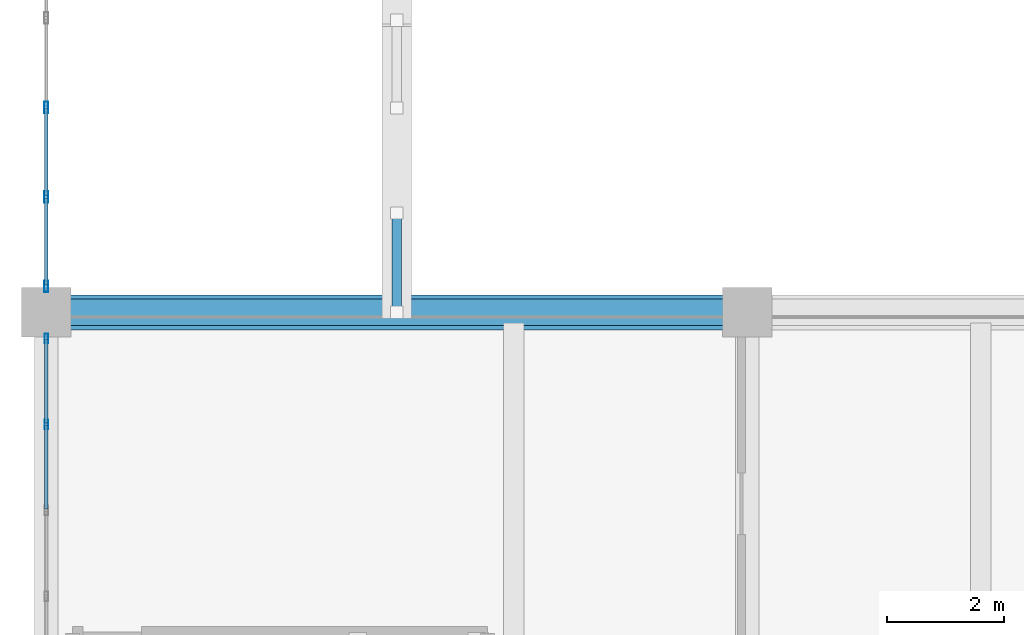
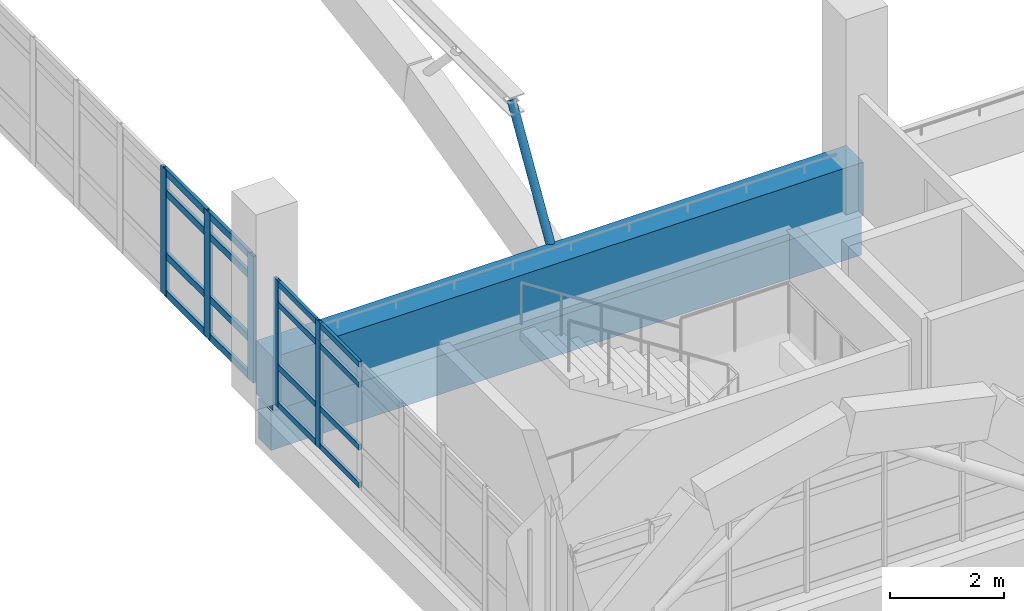
# One storey, part 10 of 161: 22 members, 2 beams, 2 elements without a shape of their own.
"""IFC4 building model written with IfcOpenShell, lengths in metres."""

from ifc_helpers import new_model, si_unit, direction, frame, origin, origin_2d, place, context, subcontext, project, spatial, rectangle, hollow_rectangle, hollow_circle, extrude, material, layer, layer_set, material_profile, profile_set, type_object, element, aggregate, save


model = new_model("IFC4")

# Units and contexts
model_context = context("Model", 3, precision=1e-05, world=origin(), true_north=direction((0.0, 1.0)))
body_context = subcontext(model_context, "Body", "Model", "MODEL_VIEW")
ifc_project = project(units=[si_unit("LENGTHUNIT", "METRE"), si_unit("AREAUNIT", "SQUARE_METRE"), si_unit("VOLUMEUNIT", "CUBIC_METRE"), si_unit("PLANEANGLEUNIT", "RADIAN"), si_unit("MASSUNIT", "GRAM", prefix="KILO")], contexts=[model_context])

# Site, building, storey
site_placement = place(None, origin())
site = spatial("IfcSite", under=ifc_project, at=site_placement, CompositionType="ELEMENT")
building_placement = place(site_placement, origin())
building = spatial("IfcBuilding", under=site, at=building_placement, Name="Mersad Railyard Sports Hall", CompositionType="ELEMENT")
storey_placement = place(building_placement, frame((0.0, 0.0, 4.800048828125)))
storey = spatial("IfcBuildingStorey", under=building, at=storey_placement, Name="L01", CompositionType="ELEMENT", Elevation=4.800048828125)

# Curtain wall, members
ifc_material_1 = material(Name="Aluminium 6063-T6", Category="aluminium")
ifc_layer_1 = layer(ifc_material_1, 0.159912109375)
ifc_layer_set_1 = layer_set([ifc_layer_1], Name="Aluminium 6063-T6")
curtain_wall_type_1 = type_object("IfcCurtainWallType", Name="ARC-CW-CW03", PredefinedType="USERDEFINED", material=ifc_layer_set_1)
curtain_wall_1_placement = place(storey_placement, origin())
curtain_wall_1 = element("IfcCurtainWall", 1, at=curtain_wall_1_placement, inside=storey, type_object=curtain_wall_type_1, Name="Curtain wall CW03-0023", ObjectType="CURTAIN WALL", PredefinedType="USERDEFINED")
ifc_material_profile_1 = material_profile(ifc_material_1, hollow_rectangle(XDim=0.06005859375, YDim=0.159912109375, WallThickness=0.00390625, at=origin_2d()), Name="AL MULLION 60x160x4")
ifc_profile_set_1 = profile_set([ifc_material_profile_1], Name="Aluminium 6063-T6")
member_type_1 = type_object("IfcMemberType", Name="ARC-CW-MUL01", PredefinedType="MULLION", material=ifc_profile_set_1)
member_1_placement = place(storey_placement, frame((7.0, 11.58251953125, -0.02001953125), z_axis=(0.0, 0.0, 1.0), x_axis=(1.0, 0.0, 0.0)))
member_1 = element("IfcMember", 2, at=member_1_placement, type_object=member_type_1, Name="CW03 Mullion 6", PredefinedType="MULLION", context=body_context, shape_type="SweptSolid", body=[
    extrude(hollow_rectangle(XDim=0.06005859375, YDim=0.159912109375, WallThickness=0.00390625, at=origin_2d()), origin(), (0.0, 0.0, 1.0), 2.719970703125),
])
member_2_placement = place(storey_placement, frame((7.0, 13.054931640625, -0.02001953125), z_axis=(0.0, 0.0, 1.0), x_axis=(1.0, 0.0, 0.0)))
member_2 = element("IfcMember", 3, at=member_2_placement, type_object=member_type_1, Name="CW03 Mullion 7", PredefinedType="MULLION", context=body_context, shape_type="SweptSolid", body=[
    extrude(hollow_rectangle(XDim=0.06005859375, YDim=0.159912109375, WallThickness=0.00390625, at=origin_2d()), origin(), (0.0, 0.0, 1.0), 2.719970703125),
])

ifc_layer_2 = layer(ifc_material_1, 0.199951171875)
ifc_layer_set_2 = layer_set([ifc_layer_2], Name="Aluminium 6063-T6")
curtain_wall_type_2 = type_object("IfcCurtainWallType", Name="ARC-CW-CW04", PredefinedType="USERDEFINED", material=ifc_layer_set_2)
curtain_wall_2_placement = place(storey_placement, origin())
curtain_wall_2 = element("IfcCurtainWall", 4, at=curtain_wall_2_placement, inside=storey, type_object=curtain_wall_type_2, Name="Curtain wall CW04-0024", ObjectType="CURTAIN WALL", PredefinedType="USERDEFINED")
ifc_material_profile_2 = material_profile(ifc_material_1, hollow_rectangle(XDim=0.06494140625, YDim=0.199951171875, WallThickness=0.0048828125, at=origin_2d()), Name="AL MULLION 65x200x5")
ifc_profile_set_2 = profile_set([ifc_material_profile_2], Name="Aluminium 6063-T6")
member_type_2 = type_object("IfcMemberType", Name="ARC-CW-MUL02", PredefinedType="MULLION", material=ifc_profile_set_2)
member_3_placement = place(storey_placement, frame((7.0, 13.945068359375, -0.02001953125), z_axis=(0.0, 0.0, 1.0), x_axis=(1.0, 0.0, 0.0)))
member_3 = element("IfcMember", 5, at=member_3_placement, type_object=member_type_2, Name="CW04 Mullion 1", PredefinedType="MULLION", context=body_context, shape_type="SweptSolid", body=[
    extrude(hollow_rectangle(XDim=0.06494140625, YDim=0.199951171875, WallThickness=0.0048828125, at=origin_2d()), origin(), (0.0, 0.0, 1.0), 2.719970703125),
])
member_4_placement = place(storey_placement, frame((7.0, 15.47705078125, -0.02001953125), z_axis=(0.0, 0.0, 1.0), x_axis=(1.0, 0.0, 0.0)))
member_4 = element("IfcMember", 6, at=member_4_placement, type_object=member_type_2, Name="CW04 Mullion 2", PredefinedType="MULLION", context=body_context, shape_type="SweptSolid", body=[
    extrude(hollow_rectangle(XDim=0.06494140625, YDim=0.199951171875, WallThickness=0.0048828125, at=origin_2d()), origin(), (0.0, 0.0, 1.0), 2.719970703125),
])
member_5_placement = place(storey_placement, frame((7.0, 17.00927734375, -0.02001953125), z_axis=(0.0, 0.0, 1.0), x_axis=(1.0, 0.0, 0.0)))
member_5 = element("IfcMember", 7, at=member_5_placement, type_object=member_type_2, Name="CW04 Mullion 3", PredefinedType="MULLION", context=body_context, shape_type="SweptSolid", body=[
    extrude(hollow_rectangle(XDim=0.06494140625, YDim=0.199951171875, WallThickness=0.0048828125, at=origin_2d()), origin(), (0.0, 0.0, 1.0), 2.719970703125),
])

# Member
ifc_material_profile_3 = material_profile(ifc_material_1, hollow_rectangle(XDim=0.06005859375, YDim=0.1201171875, WallThickness=0.00390625, at=origin_2d()), Name="AL TRANSOM 60x120x4")
ifc_profile_set_3 = profile_set([ifc_material_profile_3], Name="Aluminium 6063-T6")
member_type_3 = type_object("IfcMemberType", Name="ARC-CW-TRN01", PredefinedType="USERDEFINED", material=ifc_profile_set_3)
member_6_placement = place(storey_placement, frame((7.0, 10.1298828125, 0.0400390625), z_axis=(0.0, 1.0, 0.0), x_axis=(-1.0, 0.0, 0.0)))
member_6 = element("IfcMember", 8, at=member_6_placement, type_object=member_type_3, Name="CW03 Transom 1-5", ObjectType="TRANSOM", PredefinedType="USERDEFINED", context=body_context, shape_type="SweptSolid", body=[
    extrude(hollow_rectangle(XDim=0.06005859375, YDim=0.1201171875, WallThickness=0.00390625, at=origin_2d()), origin(), (0.0, 0.0, 1.0), 1.4326171875),
])

member_7_placement = place(storey_placement, frame((7.0, 11.6025390625, 0.0400390625), z_axis=(0.0, 1.0, 0.0), x_axis=(-1.0, 0.0, 0.0)))
member_7 = element("IfcMember", 9, at=member_7_placement, type_object=member_type_3, Name="CW03 Transom 1-6", ObjectType="TRANSOM", PredefinedType="USERDEFINED", context=body_context, shape_type="SweptSolid", body=[
    extrude(hollow_rectangle(XDim=0.06005859375, YDim=0.1201171875, WallThickness=0.00390625, at=origin_2d()), origin(), (0.0, 0.0, 1.0), 1.432373046875),
])

member_8_placement = place(storey_placement, frame((7.0, 10.1298828125, 0.849853515625), z_axis=(0.0, 1.0, 0.0), x_axis=(-1.0, 0.0, 0.0)))
member_8 = element("IfcMember", 10, at=member_8_placement, type_object=member_type_3, Name="CW03 Transom 2-5", ObjectType="TRANSOM", PredefinedType="USERDEFINED", context=body_context, shape_type="SweptSolid", body=[
    extrude(hollow_rectangle(XDim=0.06005859375, YDim=0.1201171875, WallThickness=0.00390625, at=origin_2d()), origin(), (0.0, 0.0, 1.0), 1.4326171875),
])

member_9_placement = place(storey_placement, frame((7.0, 11.6025390625, 0.849853515625), z_axis=(0.0, 1.0, 0.0), x_axis=(-1.0, 0.0, 0.0)))
member_9 = element("IfcMember", 11, at=member_9_placement, type_object=member_type_3, Name="CW03 Transom 2-6", ObjectType="TRANSOM", PredefinedType="USERDEFINED", context=body_context, shape_type="SweptSolid", body=[
    extrude(hollow_rectangle(XDim=0.06005859375, YDim=0.1201171875, WallThickness=0.00390625, at=origin_2d()), origin(), (0.0, 0.0, 1.0), 1.432373046875),
])

member_10_placement = place(storey_placement, frame((7.0, 10.1298828125, 2.199951171875), z_axis=(0.0, 1.0, 0.0), x_axis=(-1.0, 0.0, 0.0)))
member_10 = element("IfcMember", 12, at=member_10_placement, type_object=member_type_3, Name="CW03 Transom 3-5", ObjectType="TRANSOM", PredefinedType="USERDEFINED", context=body_context, shape_type="SweptSolid", body=[
    extrude(hollow_rectangle(XDim=0.06005859375, YDim=0.1201171875, WallThickness=0.00390625, at=origin_2d()), origin(), (0.0, 0.0, 1.0), 1.4326171875),
])

member_11_placement = place(storey_placement, frame((7.0, 11.6025390625, 2.199951171875), z_axis=(0.0, 1.0, 0.0), x_axis=(-1.0, 0.0, 0.0)))
member_11 = element("IfcMember", 13, at=member_11_placement, type_object=member_type_3, Name="CW03 Transom 3-6", ObjectType="TRANSOM", PredefinedType="USERDEFINED", context=body_context, shape_type="SweptSolid", body=[
    extrude(hollow_rectangle(XDim=0.06005859375, YDim=0.1201171875, WallThickness=0.00390625, at=origin_2d()), origin(), (0.0, 0.0, 1.0), 1.432373046875),
])

member_12_placement = place(storey_placement, frame((7.0, 10.1298828125, 2.639892578125), z_axis=(0.0, 1.0, 0.0), x_axis=(-1.0, 0.0, 0.0)))
member_12 = element("IfcMember", 14, at=member_12_placement, type_object=member_type_3, Name="CW03 Transom 4-5", ObjectType="TRANSOM", PredefinedType="USERDEFINED", context=body_context, shape_type="SweptSolid", body=[
    extrude(hollow_rectangle(XDim=0.06005859375, YDim=0.1201171875, WallThickness=0.00390625, at=origin_2d()), origin(), (0.0, 0.0, 1.0), 1.4326171875),
])

member_13_placement = place(storey_placement, frame((7.0, 11.6025390625, 2.639892578125), z_axis=(0.0, 1.0, 0.0), x_axis=(-1.0, 0.0, 0.0)))
member_13 = element("IfcMember", 15, at=member_13_placement, type_object=member_type_3, Name="CW03 Transom 4-6", ObjectType="TRANSOM", PredefinedType="USERDEFINED", context=body_context, shape_type="SweptSolid", body=[
    extrude(hollow_rectangle(XDim=0.06005859375, YDim=0.1201171875, WallThickness=0.00390625, at=origin_2d()), origin(), (0.0, 0.0, 1.0), 1.432373046875),
])

aggregate(curtain_wall_1, [member_1, member_2, member_6, member_7, member_8, member_9, member_10, member_11, member_12, member_13])

ifc_material_profile_4 = material_profile(ifc_material_1, hollow_rectangle(XDim=0.06494140625, YDim=0.14990234375, WallThickness=0.00439453125, at=origin_2d()), Name="AL TRANSOM 65x150x4.5")
ifc_profile_set_4 = profile_set([ifc_material_profile_4], Name="Aluminium 6063-T6")
member_type_4 = type_object("IfcMemberType", Name="ARC-CW-TRN02", PredefinedType="USERDEFINED", material=ifc_profile_set_4)
member_14_placement = place(storey_placement, frame((7.0, 13.965087890625, 0.0400390625), z_axis=(0.0, 1.0, 0.0), x_axis=(-1.0, 0.0, 0.0)))
member_14 = element("IfcMember", 16, at=member_14_placement, type_object=member_type_4, Name="CW04 Transom 1-1", ObjectType="TRANSOM", PredefinedType="USERDEFINED", context=body_context, shape_type="SweptSolid", body=[
    extrude(hollow_rectangle(XDim=0.06494140625, YDim=0.14990234375, WallThickness=0.00439453125, at=origin_2d()), origin(), (0.0, 0.0, 1.0), 1.491943359375),
])

member_15_placement = place(storey_placement, frame((7.0, 15.4970703125, 0.0400390625), z_axis=(0.0, 1.0, 0.0), x_axis=(-1.0, 0.0, 0.0)))
member_15 = element("IfcMember", 17, at=member_15_placement, type_object=member_type_4, Name="CW04 Transom 1-2", ObjectType="TRANSOM", PredefinedType="USERDEFINED", context=body_context, shape_type="SweptSolid", body=[
    extrude(hollow_rectangle(XDim=0.06494140625, YDim=0.14990234375, WallThickness=0.00439453125, at=origin_2d()), origin(), (0.0, 0.0, 1.0), 1.4921875),
])

member_16_placement = place(storey_placement, frame((7.0, 13.965087890625, 0.849853515625), z_axis=(0.0, 1.0, 0.0), x_axis=(-1.0, 0.0, 0.0)))
member_16 = element("IfcMember", 18, at=member_16_placement, type_object=member_type_4, Name="CW04 Transom 2-1", ObjectType="TRANSOM", PredefinedType="USERDEFINED", context=body_context, shape_type="SweptSolid", body=[
    extrude(hollow_rectangle(XDim=0.06494140625, YDim=0.14990234375, WallThickness=0.00439453125, at=origin_2d()), origin(), (0.0, 0.0, 1.0), 1.491943359375),
])

member_17_placement = place(storey_placement, frame((7.0, 15.4970703125, 0.849853515625), z_axis=(0.0, 1.0, 0.0), x_axis=(-1.0, 0.0, 0.0)))
member_17 = element("IfcMember", 19, at=member_17_placement, type_object=member_type_4, Name="CW04 Transom 2-2", ObjectType="TRANSOM", PredefinedType="USERDEFINED", context=body_context, shape_type="SweptSolid", body=[
    extrude(hollow_rectangle(XDim=0.06494140625, YDim=0.14990234375, WallThickness=0.00439453125, at=origin_2d()), origin(), (0.0, 0.0, 1.0), 1.4921875),
])

member_18_placement = place(storey_placement, frame((7.0, 13.965087890625, 2.199951171875), z_axis=(0.0, 1.0, 0.0), x_axis=(-1.0, 0.0, 0.0)))
member_18 = element("IfcMember", 20, at=member_18_placement, type_object=member_type_4, Name="CW04 Transom 3-1", ObjectType="TRANSOM", PredefinedType="USERDEFINED", context=body_context, shape_type="SweptSolid", body=[
    extrude(hollow_rectangle(XDim=0.06494140625, YDim=0.14990234375, WallThickness=0.00439453125, at=origin_2d()), origin(), (0.0, 0.0, 1.0), 1.491943359375),
])

member_19_placement = place(storey_placement, frame((7.0, 15.4970703125, 2.199951171875), z_axis=(0.0, 1.0, 0.0), x_axis=(-1.0, 0.0, 0.0)))
member_19 = element("IfcMember", 21, at=member_19_placement, type_object=member_type_4, Name="CW04 Transom 3-2", ObjectType="TRANSOM", PredefinedType="USERDEFINED", context=body_context, shape_type="SweptSolid", body=[
    extrude(hollow_rectangle(XDim=0.06494140625, YDim=0.14990234375, WallThickness=0.00439453125, at=origin_2d()), origin(), (0.0, 0.0, 1.0), 1.4921875),
])

member_20_placement = place(storey_placement, frame((7.0, 13.965087890625, 2.639892578125), z_axis=(0.0, 1.0, 0.0), x_axis=(-1.0, 0.0, 0.0)))
member_20 = element("IfcMember", 22, at=member_20_placement, type_object=member_type_4, Name="CW04 Transom 4-1", ObjectType="TRANSOM", PredefinedType="USERDEFINED", context=body_context, shape_type="SweptSolid", body=[
    extrude(hollow_rectangle(XDim=0.06494140625, YDim=0.14990234375, WallThickness=0.00439453125, at=origin_2d()), origin(), (0.0, 0.0, 1.0), 1.491943359375),
])

member_21_placement = place(storey_placement, frame((7.0, 15.4970703125, 2.639892578125), z_axis=(0.0, 1.0, 0.0), x_axis=(-1.0, 0.0, 0.0)))
member_21 = element("IfcMember", 23, at=member_21_placement, type_object=member_type_4, Name="CW04 Transom 4-2", ObjectType="TRANSOM", PredefinedType="USERDEFINED", context=body_context, shape_type="SweptSolid", body=[
    extrude(hollow_rectangle(XDim=0.06494140625, YDim=0.14990234375, WallThickness=0.00439453125, at=origin_2d()), origin(), (0.0, 0.0, 1.0), 1.4921875),
])

aggregate(curtain_wall_2, [member_3, member_4, member_5, member_14, member_15, member_16, member_17, member_18, member_19, member_20, member_21])

# Beams
ifc_material_2 = material(Name="Concrete C40/50", Category="concrete")
ifc_material_profile_5 = material_profile(ifc_material_2, rectangle(XDim=0.449951171875, YDim=0.85009765625, at=origin_2d()), Name="RC 450x850")
ifc_profile_set_5 = profile_set([ifc_material_profile_5], Name="Concrete C40/50")
beam_type_1 = type_object("IfcBeamType", Name="STR-BM-B02", PredefinedType="BEAM", material=ifc_profile_set_5)
beam_1_placement = place(storey_placement, frame((7.0, 13.5, -0.705078125), z_axis=(1.0, 0.0, 0.0), x_axis=(0.0, 1.0, 0.0)))
element("IfcBeam", 24, at=beam_1_placement, inside=storey, type_object=beam_type_1, Name="Beam B02-0316", PredefinedType="BEAM", context=body_context, shape_type="SweptSolid", body=[
    extrude(rectangle(XDim=0.449951171875, YDim=0.85009765625, at=origin_2d()), origin(), (0.0, 0.0, 1.0), 12.0),
])
ifc_material_3 = material(Name="Concrete C50/60", Category="concrete")
ifc_material_profile_6 = material_profile(ifc_material_3, rectangle(XDim=0.60009765625, YDim=1.14990234375, at=origin_2d()), Name="RC 600x1150")
ifc_profile_set_6 = profile_set([ifc_material_profile_6], Name="Concrete C50/60")
beam_type_2 = type_object("IfcBeamType", Name="STR-BM-B05", PredefinedType="BEAM", material=ifc_profile_set_6)
beam_2_placement = place(storey_placement, frame((7.0, 13.5, 0.33984375), z_axis=(1.0, 0.0, 0.0), x_axis=(0.0, 1.0, 0.0)))
element("IfcBeam", 25, at=beam_2_placement, inside=storey, type_object=beam_type_2, Name="Beam B05-0504", PredefinedType="BEAM", context=body_context, shape_type="SweptSolid", body=[
    extrude(rectangle(XDim=0.60009765625, YDim=1.14990234375, at=origin_2d()), origin(), (0.0, 0.0, 1.0), 12.0),
])

# Member
ifc_material_4 = material(Name="Steel S355", Category="steel")
ifc_material_profile_7 = material_profile(ifc_material_4, hollow_circle(Radius=0.084228515625, WallThickness=0.008056640625, at=origin_2d()), Name="CHS 168.3x8")
ifc_profile_set_7 = profile_set([ifc_material_profile_7], Name="Steel S355")
member_type_5 = type_object("IfcMemberType", Name="STR-MEM-BR03", PredefinedType="BRACE", material=ifc_profile_set_7)
member_22_placement = place(storey_placement, frame((13.0, 13.5, 0.339599609375), z_axis=(0.0, 0.517575030521, 0.855637825123), x_axis=(-1.0, 0.0, 0.0)))
element("IfcMember", 26, at=member_22_placement, inside=storey, type_object=member_type_5, Name="Structural member BR03-0060", PredefinedType="BRACE", context=body_context, shape_type="SweptSolid", body=[
    extrude(hollow_circle(Radius=0.084228515625, WallThickness=0.008056640625, at=origin_2d()), origin(), (0.0, 0.0, 1.0), 3.284423828125),
])

save(model, "model.ifc")
